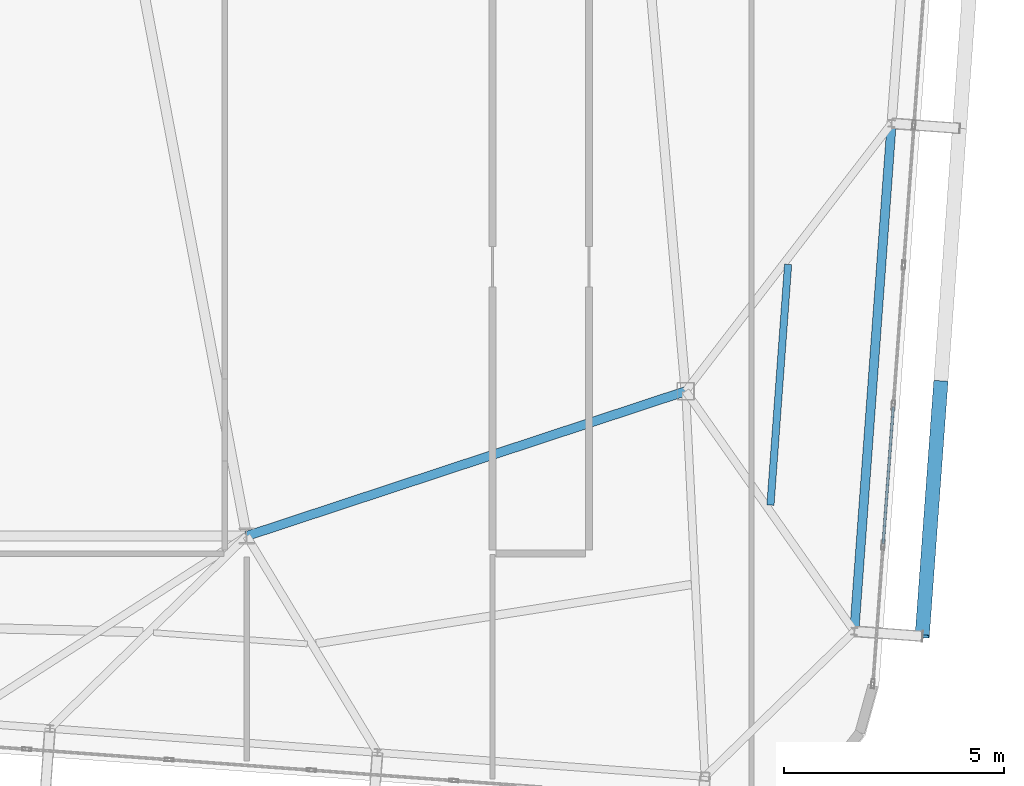
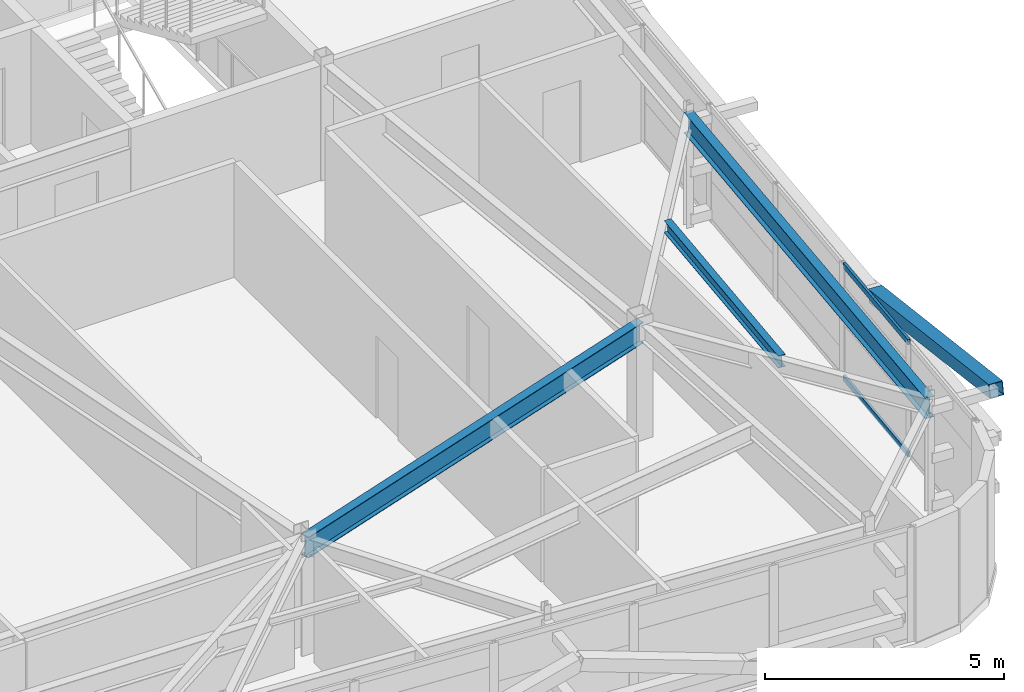
# One storey, part 20 of 42: 3 beams, 3 members, 1 element without a shape of its own.
"""IFC4 building model written with IfcOpenShell, lengths in metres."""

from ifc_helpers import new_model, si_unit, direction, frame, origin, origin_2d, place, context, subcontext, project, spatial, hollow_rectangle, i_section, extrude, source, transform, mapped, material, layer, layer_set, material_profile, profile_set, type_object, element, aggregate, save


model = new_model("IFC4")

# Units and contexts
model_context = context("Model", 3, precision=1e-05, world=origin(), true_north=direction((0.0, 1.0)))
body_context = subcontext(model_context, "Body", "Model", "MODEL_VIEW")
ifc_project = project(units=[si_unit("LENGTHUNIT", "METRE"), si_unit("AREAUNIT", "SQUARE_METRE"), si_unit("VOLUMEUNIT", "CUBIC_METRE"), si_unit("PLANEANGLEUNIT", "RADIAN"), si_unit("MASSUNIT", "GRAM", prefix="KILO")], contexts=[model_context])

# Site, building, storey
site_placement = place(None, origin())
site = spatial("IfcSite", under=ifc_project, at=site_placement, CompositionType="ELEMENT")
building_placement = place(site_placement, origin())
building = spatial("IfcBuilding", under=site, at=building_placement, Name="Taldren Reach Tower", CompositionType="ELEMENT")
storey_placement = place(building_placement, frame((0.0, 0.0, 214.550048828125)))
storey = spatial("IfcBuildingStorey", under=building, at=storey_placement, Name="L65", CompositionType="ELEMENT", Elevation=214.550048828125)

# Beams
ifc_material_1 = material(Name="Steel Gr 350 (350PLUS)", Category="steel")
ifc_material_profile_1 = material_profile(ifc_material_1, i_section(OverallWidth=0.208984375, OverallDepth=0.532958984375, WebThickness=0.01025390625, FlangeThickness=0.015625, at=origin_2d()), Name="530UB92.4")
ifc_profile_set_1 = profile_set([ifc_material_profile_1], Name="Steel Gr 350 (350PLUS)")
beam_type_1 = type_object("IfcBeamType", Name="BM-UB530A", PredefinedType="BEAM", material=ifc_profile_set_1)
shared_shape_1 = source(origin(), body_context, "Body", "SweptSolid", [
    extrude(i_section(OverallWidth=0.208984375, OverallDepth=0.532958984375, WebThickness=0.01025390625, FlangeThickness=0.015625, at=origin_2d()), origin(), (0.0, 0.0, 1.0), 10.530517578125),
])
beam_1_placement = place(storey_placement, frame((42.0, 9.199951171875, 2.663330078125), z_axis=(0.949627269203, 0.313381635689, 0.0), x_axis=(-0.313381635689, 0.949627269203, 0.0)))
element("IfcBeam", 1, at=beam_1_placement, inside=storey, type_object=beam_type_1, Name="Core-spine girder L65-SP12", PredefinedType="BEAM", context=body_context, shape_type="MappedRepresentation", body=[
    mapped(shared_shape_1, transform((0.0, 0.0, 0.0), scale=1.0)),
])
ifc_material_profile_2 = material_profile(ifc_material_1, i_section(OverallWidth=0.208984375, OverallDepth=0.528076171875, WebThickness=0.009521484375, FlangeThickness=0.01318359375, at=origin_2d()), Name="530UB82.0")
ifc_profile_set_2 = profile_set([ifc_material_profile_2], Name="Steel Gr 350 (350PLUS)")
beam_type_2 = type_object("IfcBeamType", Name="SP-UB530B", PredefinedType="SPANDREL", material=ifc_profile_set_2)
shared_shape_2 = source(origin(), body_context, "Body", "SweptSolid", [
    extrude(i_section(OverallWidth=0.208984375, OverallDepth=0.528076171875, WebThickness=0.009521484375, FlangeThickness=0.01318359375, at=origin_2d()), origin(), (0.0, 0.0, 1.0), 11.60009765625),
])
beam_2_placement = place(storey_placement, frame((55.841796875, 7.031005859375, 2.666015625), z_axis=(0.073242167855, 0.997314185625, 0.0), x_axis=(-0.997314185625, 0.073242167855, 0.0)))
element("IfcBeam", 2, at=beam_2_placement, inside=storey, type_object=beam_type_2, Name="Perimeter spandrel B5 E1-E2 L65", PredefinedType="SPANDREL", context=body_context, shape_type="MappedRepresentation", body=[
    mapped(shared_shape_2, transform((0.0, 0.0, 0.0), scale=1.0)),
])
ifc_material_2 = material(Name="Steel Gr 300 (300PLUS, 300 MPa)", Category="steel")
ifc_material_profile_3 = material_profile(ifc_material_2, i_section(OverallWidth=0.166015625, OverallDepth=0.306884765625, WebThickness=0.006591796875, FlangeThickness=0.01171875, at=origin_2d()), Name="310UB46.2")
ifc_profile_set_3 = profile_set([ifc_material_profile_3], Name="Steel Gr 300 (300PLUS, 300 MPa)")
beam_type_3 = type_object("IfcBeamType", Name="JS-UB310", PredefinedType="JOIST", material=ifc_profile_set_3)
shared_shape_3 = source(origin(), body_context, "Body", "SweptSolid", [
    extrude(i_section(OverallWidth=0.166015625, OverallDepth=0.306884765625, WebThickness=0.006591796875, FlangeThickness=0.01171875, at=origin_2d()), origin(), (0.0, 0.0, 1.0), 5.49755859375),
])
beam_3_placement = place(storey_placement, frame((53.93115234375, 9.905517578125, 2.7763671875), z_axis=(0.073228814191, 0.99731516622, 0.0), x_axis=(-0.99731516622, 0.073228814191, 0.0)))
element("IfcBeam", 3, at=beam_3_placement, inside=storey, type_object=beam_type_3, Name="Secondary floor joist B5 J7 L65", PredefinedType="JOIST", context=body_context, shape_type="MappedRepresentation", body=[
    mapped(shared_shape_3, transform((0.0, 0.0, 0.0), scale=1.0)),
])

# Member
ifc_material_3 = material(Name="Steel Gr 450 (C450L0)", Category="steel")
ifc_material_profile_4 = material_profile(ifc_material_3, hollow_rectangle(XDim=0.324951171875, YDim=0.324951171875, WallThickness=0.0126953125, at=origin_2d()), Name="325x325x12.7SHS")
ifc_profile_set_4 = profile_set([ifc_material_profile_4], Name="Steel Gr 450 (C450L0)")
member_type_1 = type_object("IfcMemberType", Name="MB-BR324", PredefinedType="BRACE", material=ifc_profile_set_4)
shared_shape_4 = source(origin(), body_context, "Body", "SweptSolid", [
    extrude(hollow_rectangle(XDim=0.324951171875, YDim=0.324951171875, WallThickness=0.0126953125, at=origin_2d()), origin(), (0.0, 0.0, 1.0), 5.92578125),
])
member_1_placement = place(storey_placement, frame((57.812255859375, 12.701904296875, 1.43505859375), z_axis=(-0.071645553297, -0.976134614303, 0.205007632667), x_axis=(0.997317259472, -0.073200300267, 0.0)))
element("IfcMember", 4, at=member_1_placement, inside=storey, type_object=member_type_1, Name="Exoskeleton Diagrid Brace B5-E1 L65", PredefinedType="BRACE", context=body_context, shape_type="MappedRepresentation", body=[
    mapped(shared_shape_4, transform((0.0, 0.0, 0.0), scale=1.0)),
])

# Curtain wall, members
ifc_material_4 = material(Name="Aluminium and Low-E Glass Unitised System", Category="aluminium")
ifc_layer = layer(ifc_material_4, 0.159912109375)
ifc_layer_set = layer_set([ifc_layer], Name="Aluminium and Low-E Glass Unitised System")
curtain_wall_type = type_object("IfcCurtainWallType", Name="CW-SYS-6", PredefinedType="NOTDEFINED", material=ifc_layer_set)
curtain_wall_placement = place(storey_placement, origin())
curtain_wall = element("IfcCurtainWall", 5, at=curtain_wall_placement, inside=storey, type_object=curtain_wall_type, Name="Unitised curtain wall CW-L65-E", PredefinedType="NOTDEFINED")
ifc_material_5 = material(Name="Anodised Aluminium 6063-T6", Category="aluminium")
ifc_material_profile_5 = material_profile(ifc_material_5, hollow_rectangle(XDim=0.06005859375, YDim=0.135009765625, WallThickness=0.00341796875, at=origin_2d()), Name="ALU-135x60x3.5RHS")
ifc_profile_set_5 = profile_set([ifc_material_profile_5], Name="Anodised Aluminium 6063-T6")
member_type_2 = type_object("IfcMemberType", Name="CW-TRN-150", PredefinedType="USERDEFINED", material=ifc_profile_set_5)
shared_shape_5 = source(origin(), body_context, "Body", "SweptSolid", [
    extrude(hollow_rectangle(XDim=0.06005859375, YDim=0.135009765625, WallThickness=0.00341796875, at=origin_2d()), origin(), (0.0, 0.0, 1.0), 3.124755859375),
])
member_2_placement = place(storey_placement, frame((56.49951171875, 9.025634765625, 0.030029296875), z_axis=(0.073284589347, 0.997311069308, 0.0), x_axis=(-0.997311069308, 0.073284589347, 0.0)))
member_2 = element("IfcMember", 6, at=member_2_placement, type_object=member_type_2, Name="CW-6 transom 2.1", ObjectType="TRANSOM", PredefinedType="USERDEFINED", context=body_context, shape_type="MappedRepresentation", body=[
    mapped(shared_shape_5, transform((0.0, 0.0, 0.0), scale=1.0)),
])
member_3_placement = place(storey_placement, frame((56.49951171875, 9.025634765625, 2.89990234375), z_axis=(0.073284589347, 0.997311069308, 0.0), x_axis=(-0.997311069308, 0.073284589347, 0.0)))
member_3 = element("IfcMember", 7, at=member_3_placement, type_object=member_type_2, Name="CW-6 transom 2.2", ObjectType="TRANSOM", PredefinedType="USERDEFINED", context=body_context, shape_type="MappedRepresentation", body=[
    mapped(shared_shape_5, transform((0.0, 0.0, 0.0), scale=1.0)),
])
aggregate(curtain_wall, [member_2, member_3])

save(model, "model.ifc")
